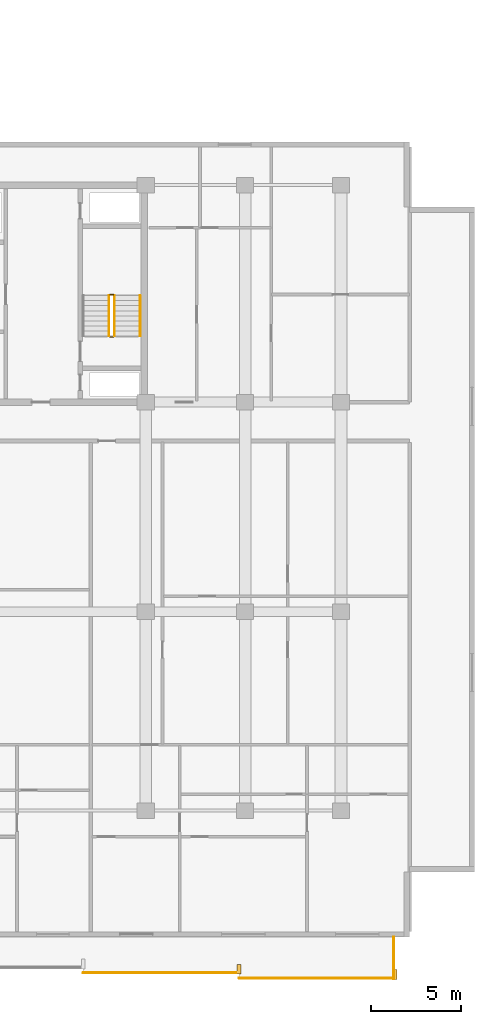
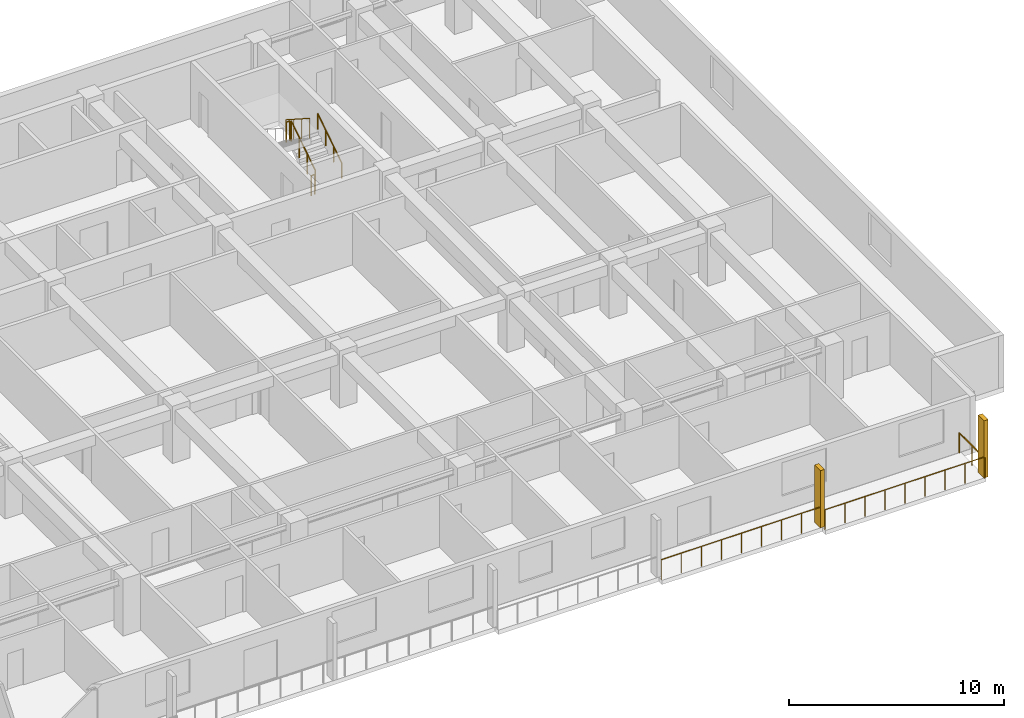
# One storey, part 21 of 23: 8 railings, 2 shading devices.
"""IFC4 building model written with IfcOpenShell, lengths in metres."""

import ifcopenshell
import ifcopenshell.guid

model = None  # the IFC model being written
_history = None  # IfcOwnerHistory: only IFC2X3 demands one
_inside = {}  # id of a spatial element -> (the spatial element, [elements in it])
_under = {}  # id of a project, library or spatial element -> (it, [spatial elements below it])
_declared = {}  # id of a project -> (the project, [libraries it declares])
_typed = {}  # id of a type object -> (the type object, [elements of that type])
_made_of = {}  # id of a material, layer set ... -> (it, [elements and type objects made of it])


def new_model(schema):
    """Start an empty IFC model of exactly this schema.

    Asked for "IFC4X3", IfcOpenShell would pick the latest addendum, in which some entities
    have other attributes; the version numbers below select the first issue.
    IFC2X3 requires an IfcOwnerHistory on every rooted entity: one is made here for all.
    """
    global model, _history
    if schema == "IFC4X3":
        model = ifcopenshell.file(schema_version=(4, 3, 0, 0))
    else:
        model = ifcopenshell.file(schema=schema)
    _inside.clear()
    _under.clear()
    _declared.clear()
    _typed.clear()
    _made_of.clear()
    _history = None
    if model.schema == "IFC2X3":
        org = make("IfcOrganization", Name="unknown")
        user = make(
            "IfcPersonAndOrganization",
            ThePerson=make("IfcPerson", FamilyName="unknown"),
            TheOrganization=org,
        )
        app = make(
            "IfcApplication",
            ApplicationDeveloper=org,
            Version="unknown",
            ApplicationFullName="unknown",
            ApplicationIdentifier="unknown",
        )
        _history = make(
            "IfcOwnerHistory",
            OwningUser=user,
            OwningApplication=app,
            ChangeAction="ADDED",
            CreationDate=0,
        )
    return model


def make(cls, **values):
    """One entity of the class cls with the attributes given. An attribute that is None is left unset."""
    return model.create_entity(
        cls, **{name: value for name, value in values.items() if value is not None}
    )


def rooted(cls, **values):
    """An entity with a GlobalId (a new one), such as an element, a storey or a relation."""
    return make(cls, GlobalId=ifcopenshell.guid.new(), OwnerHistory=_history, **values)


def si_unit(unit_type, name, prefix=None):
    """IfcSIUnit, for example si_unit("LENGTHUNIT", "METRE", prefix="MILLI")."""
    return make("IfcSIUnit", UnitType=unit_type, Prefix=prefix, Name=name)


def assignment(units):
    """IfcUnitAssignment: the units of a project."""
    return None if units is None else make("IfcUnitAssignment", Units=units)


def point(xyz):
    """IfcCartesianPoint."""
    return None if xyz is None else make("IfcCartesianPoint", Coordinates=xyz)


def direction(xyz):
    """IfcDirection."""
    return None if xyz is None else make("IfcDirection", DirectionRatios=xyz)


def frame(location, z_axis=None, x_axis=None):
    """IfcAxis2Placement3D, a coordinate frame: its origin and axes. An axis left out is left unset."""
    return make(
        "IfcAxis2Placement3D",
        Location=point(location),
        Axis=direction(z_axis),
        RefDirection=direction(x_axis),
    )


def frame_2d(location, x_axis=None):
    """IfcAxis2Placement2D, a coordinate frame in the plane: its origin and x axis."""
    return make(
        "IfcAxis2Placement2D", Location=point(location), RefDirection=direction(x_axis)
    )


def origin():
    """The frame at (0, 0, 0) with its axes left unset."""
    return frame((0.0, 0.0, 0.0))


def origin_2d():
    """The frame at (0, 0) in the plane with its x axis left unset."""
    return frame_2d((0.0, 0.0))


def place(relative_to, where):
    """IfcLocalPlacement: puts the frame where relative to a parent placement (None: the world)."""
    return make(
        "IfcLocalPlacement", PlacementRelTo=relative_to, RelativePlacement=where
    )


def context(
    kind, dimensions, precision=None, world=None, true_north=None, identifier=None
):
    """IfcGeometricRepresentationContext, for example the 3D "Model" context."""
    return make(
        "IfcGeometricRepresentationContext",
        ContextIdentifier=identifier,
        ContextType=kind,
        CoordinateSpaceDimension=dimensions,
        Precision=precision,
        WorldCoordinateSystem=world,
        TrueNorth=true_north,
    )


def subcontext(parent, identifier, kind, view, scale=None):
    """IfcGeometricRepresentationSubContext, for example "Body" below "Model"."""
    return make(
        "IfcGeometricRepresentationSubContext",
        ContextIdentifier=identifier,
        ContextType=kind,
        ParentContext=parent,
        TargetScale=scale,
        TargetView=view,
    )


def project(units=None, contexts=None):
    """IfcProject with its units and contexts."""
    return rooted(
        "IfcProject",
        Name="project",
        RepresentationContexts=contexts,
        UnitsInContext=assignment(units),
    )


def spatial(cls, under=None, at=None, **own):
    """A site, building, storey or space (cls), placed at a placement, below another one or the project."""
    s = rooted(cls, ObjectPlacement=at, **own)
    if under is not None:
        _under.setdefault(under.id(), (under, []))[1].append(s)
    return s


def profile(cls, at=None, kind="AREA", **sizes):
    """A parametric profile (cls). Its sizes go by their IFC names, for example OverallWidth=200.0."""
    return make(cls, ProfileType=kind, Position=at, **sizes)


def rectangle(**sizes):
    """IfcRectangleProfileDef."""
    return profile("IfcRectangleProfileDef", **sizes)


def circle(**sizes):
    """IfcCircleProfileDef."""
    return profile("IfcCircleProfileDef", **sizes)


def extrude(swept, where, along, depth):
    """IfcExtrudedAreaSolid: the profile swept, set in the frame where, extruded along a direction by depth."""
    return make(
        "IfcExtrudedAreaSolid",
        SweptArea=swept,
        Position=where,
        ExtrudedDirection=direction(along),
        Depth=depth,
    )


def shape(context_of_items, identifier, shape_type, items):
    """IfcShapeRepresentation: the items that make up one representation, for example the "Body"."""
    return make(
        "IfcShapeRepresentation",
        ContextOfItems=context_of_items,
        RepresentationIdentifier=identifier,
        RepresentationType=shape_type,
        Items=items,
    )


def material(Name=None, Category=None):
    """IfcMaterial."""
    return make("IfcMaterial", Name=Name, Category=Category)


def made_of(thing, what):
    """Note that an element or type object is made of a material, layer set ...; save() writes the relation."""
    if what is not None:
        _made_of.setdefault(what.id(), (what, []))[1].append(thing)
    return thing


def type_object(cls, material=None, **own):
    """A type object (cls), such as IfcWallType, which elements share."""
    return made_of(rooted(cls, **own), material)


def element(
    cls,
    number,
    at=None,
    inside=None,
    cuts=None,
    type_object=None,
    material=None,
    context=None,
    identifier="Body",
    shape_type=None,
    held_by="IfcProductDefinitionShape",
    body=None,
    shapes=None,
    **own,
):
    """One element of the class cls, such as IfcWall. Its Tag is "e" and its number.

    at: its placement. inside: the storey or other place that contains it. cuts: it is an
    opening in that element (IfcRelVoidsElement). A single representation is given by context,
    identifier, shape_type and body (its items); several are given by shapes. held_by: the class
    of the entity that holds the representations. save() writes the other relations.
    """
    e = rooted(cls, Tag="e%d" % number, ObjectPlacement=at, **own)
    if body is not None:
        shapes = [shape(context, identifier, shape_type, body)]
    if shapes is not None:
        e.Representation = make(held_by, Representations=shapes)
    if inside is not None:
        _inside.setdefault(inside.id(), (inside, []))[1].append(e)
    if cuts is not None:
        rooted(
            "IfcRelVoidsElement", RelatingBuildingElement=cuts, RelatedOpeningElement=e
        )
    if type_object is not None:
        _typed.setdefault(type_object.id(), (type_object, []))[1].append(e)
    return made_of(e, material)


def aggregate(whole, parts):
    """IfcRelAggregates: a whole, such as a stair, and the parts it consists of."""
    return rooted("IfcRelAggregates", RelatingObject=whole, RelatedObjects=parts)


def save(model, path):
    """Write the relations noted so far, then the file.

    IfcRelAggregates (storeys below a building ...), IfcRelContainedInSpatialStructure (elements
    in a storey), IfcRelDefinesByType, IfcRelAssociatesMaterial and IfcRelDeclares: one each for
    every whole, place, type object, material and project.
    """
    for whole, parts in _under.values():
        aggregate(whole, parts)
    for where, things in _inside.values():
        rooted(
            "IfcRelContainedInSpatialStructure",
            RelatedElements=things,
            RelatingStructure=where,
        )
    for kind, things in _typed.values():
        rooted("IfcRelDefinesByType", RelatedObjects=things, RelatingType=kind)
    for what, things in _made_of.values():
        rooted("IfcRelAssociatesMaterial", RelatedObjects=things, RelatingMaterial=what)
    for by, libraries in _declared.values():
        rooted("IfcRelDeclares", RelatingContext=by, RelatedDefinitions=libraries)
    model.write(path)


model = new_model("IFC4")

# Units and contexts
model_context = context("Model", 3, precision=1e-05, world=origin(), true_north=direction((0.0, 1.0)))
body_context = subcontext(model_context, "Body", "Model", "MODEL_VIEW")
ifc_project = project(units=[si_unit("LENGTHUNIT", "METRE"), si_unit("AREAUNIT", "SQUARE_METRE"), si_unit("VOLUMEUNIT", "CUBIC_METRE"), si_unit("PLANEANGLEUNIT", "RADIAN"), si_unit("MASSUNIT", "GRAM", prefix="KILO")], contexts=[model_context])

# Site, building, storey
site_placement = place(None, origin())
site = spatial("IfcSite", under=ifc_project, at=site_placement, CompositionType="ELEMENT")
building_placement = place(site_placement, origin())
building = spatial("IfcBuilding", under=site, at=building_placement, Name="Korimba Cascade Residences", CompositionType="ELEMENT")
storey_placement = place(building_placement, frame((0.0, 0.0, 53.25)))
storey = spatial("IfcBuildingStorey", under=building, at=storey_placement, Name="L14", CompositionType="ELEMENT", Elevation=53.25)

# Railings
ifc_material_1 = material(Name="Laminated Glass and Bronze Balustrade", Category="glass")
railing_type_1 = type_object("IfcRailingType", Name="RLG-LOG-1150", PredefinedType="BALUSTRADE", material=ifc_material_1)
railing_1_placement = place(storey_placement, frame((114.642822265625, -13.169921875, 0.0)))
element("IfcRailing", 1, at=railing_1_placement, inside=storey, type_object=railing_type_1, Name="L14 Perimeter Guardrail RLG-L14-T2-LOG-05", PredefinedType="BALUSTRADE", context=body_context, shape_type="SweptSolid", body=[
    extrude(circle(Radius=0.02392578125, at=origin_2d()), frame((0.0, 0.0, 1.1259765625), z_axis=(1.0, 0.0, 0.0), x_axis=(0.0, 1.0, 0.0)), (0.0, 0.0, 1.0), 8.628662109375),
    extrude(circle(Radius=0.02099609375, at=origin_2d()), origin(), (0.0, 0.0, 1.0), 1.101806640625),
    extrude(circle(Radius=0.02099609375, at=origin_2d()), frame((1.07861328125, 0.0, 0.0)), (0.0, 0.0, 1.0), 1.101806640625),
    extrude(circle(Radius=0.02099609375, at=origin_2d()), frame((2.1572265625, 0.0, 0.0)), (0.0, 0.0, 1.0), 1.101806640625),
    extrude(circle(Radius=0.02099609375, at=origin_2d()), frame((3.23583984375, 0.0, 0.0)), (0.0, 0.0, 1.0), 1.101806640625),
    extrude(circle(Radius=0.02099609375, at=origin_2d()), frame((4.314453125, 0.0, 0.0)), (0.0, 0.0, 1.0), 1.101806640625),
    extrude(circle(Radius=0.02099609375, at=origin_2d()), frame((5.392822265625, 0.0, 0.0)), (0.0, 0.0, 1.0), 1.101806640625),
    extrude(circle(Radius=0.02099609375, at=origin_2d()), frame((6.471435546875, 0.0, 0.0)), (0.0, 0.0, 1.0), 1.101806640625),
    extrude(circle(Radius=0.02099609375, at=origin_2d()), frame((7.550048828125, 0.0, 0.0)), (0.0, 0.0, 1.0), 1.101806640625),
    extrude(circle(Radius=0.02099609375, at=origin_2d()), frame((8.628662109375, 0.0, 0.0)), (0.0, 0.0, 1.0), 1.101806640625),
])
railing_2_placement = place(storey_placement, frame((123.271484375, -13.469970703125, 0.0)))
element("IfcRailing", 2, at=railing_2_placement, inside=storey, type_object=railing_type_1, Name="L14 Perimeter Guardrail RLG-L14-T2-LOG-06", PredefinedType="BALUSTRADE", context=body_context, shape_type="SweptSolid", body=[
    extrude(circle(Radius=0.02392578125, at=origin_2d()), frame((0.0, 0.0, 1.1259765625), z_axis=(1.0, 0.0, 0.0), x_axis=(0.0, 1.0, 0.0)), (0.0, 0.0, 1.0), 8.62841796875),
    extrude(circle(Radius=0.02099609375, at=origin_2d()), origin(), (0.0, 0.0, 1.0), 1.101806640625),
    extrude(circle(Radius=0.02099609375, at=origin_2d()), frame((1.07861328125, 0.0, 0.0)), (0.0, 0.0, 1.0), 1.101806640625),
    extrude(circle(Radius=0.02099609375, at=origin_2d()), frame((2.1572265625, 0.0, 0.0)), (0.0, 0.0, 1.0), 1.101806640625),
    extrude(circle(Radius=0.02099609375, at=origin_2d()), frame((3.235595703125, 0.0, 0.0)), (0.0, 0.0, 1.0), 1.101806640625),
    extrude(circle(Radius=0.02099609375, at=origin_2d()), frame((4.314208984375, 0.0, 0.0)), (0.0, 0.0, 1.0), 1.101806640625),
    extrude(circle(Radius=0.02099609375, at=origin_2d()), frame((5.392822265625, 0.0, 0.0)), (0.0, 0.0, 1.0), 1.101806640625),
    extrude(circle(Radius=0.02099609375, at=origin_2d()), frame((6.47119140625, 0.0, 0.0)), (0.0, 0.0, 1.0), 1.101806640625),
    extrude(circle(Radius=0.02099609375, at=origin_2d()), frame((7.5498046875, 0.0, 0.0)), (0.0, 0.0, 1.0), 1.101806640625),
    extrude(circle(Radius=0.02099609375, at=origin_2d()), frame((8.62841796875, 0.0, 0.0)), (0.0, 0.0, 1.0), 1.101806640625),
])
railing_3_placement = place(storey_placement, frame((131.820068359375, -13.550048828125, 0.0)))
element("IfcRailing", 3, at=railing_3_placement, inside=storey, type_object=railing_type_1, Name="L14 Perimeter Guardrail RLG-L14-T2-LOG-07", PredefinedType="BALUSTRADE", context=body_context, shape_type="SweptSolid", body=[
    extrude(circle(Radius=0.02392578125, at=origin_2d()), frame((0.0, 0.0, 1.1259765625), z_axis=(0.0, 1.0, 0.0), x_axis=(-1.0, 0.0, 0.0)), (0.0, 0.0, 1.0), 2.35009765625),
    extrude(circle(Radius=0.02099609375, at=origin_2d()), origin(), (0.0, 0.0, 1.0), 1.101806640625),
    extrude(circle(Radius=0.02099609375, at=origin_2d()), frame((0.0, 1.175048828125, 0.0)), (0.0, 0.0, 1.0), 1.101806640625),
    extrude(circle(Radius=0.02099609375, at=origin_2d()), frame((0.0, 2.35009765625, 0.0)), (0.0, 0.0, 1.0), 1.101806640625),
])
ifc_material_2 = material(Name="Painted Steel Stairwell Guardrail", Category="steel")
railing_type_2 = type_object("IfcRailingType", Name="RLG-ST-GD1150", PredefinedType="GUARDRAIL", material=ifc_material_2)
railing_4_placement = place(storey_placement, frame((116.3701171875, 22.050048828125, 0.1806640625)))
element("IfcRailing", 4, at=railing_4_placement, inside=storey, type_object=railing_type_2, Name="L14 ST-E2 stair guard 1", PredefinedType="GUARDRAIL", context=body_context, shape_type="SweptSolid", body=[
    extrude(circle(Radius=0.02392578125, at=origin_2d()), frame((0.0, 0.0, 1.1259765625), z_axis=(0.0, 0.840436612492, 0.541909863706), x_axis=(-1.0, 0.0, 0.0)), (0.0, 0.0, 1.0), 2.665283203125),
    extrude(circle(Radius=0.02099609375, at=origin_2d()), origin(), (0.0, 0.0, 1.0), 1.101806640625),
    extrude(circle(Radius=0.02099609375, at=origin_2d()), frame((0.0, 0.74658203125, 0.4814453125)), (0.0, 0.0, 1.0), 1.101806640625),
    extrude(circle(Radius=0.02099609375, at=origin_2d()), frame((0.0, 1.493408203125, 0.962890625)), (0.0, 0.0, 1.0), 1.101806640625),
    extrude(circle(Radius=0.02099609375, at=origin_2d()), frame((0.0, 2.239990234375, 1.4443359375)), (0.0, 0.0, 1.0), 1.101806640625),
])
railing_5_placement = place(storey_placement, frame((116.320068359375, 24.340087890625, 1.625)))
element("IfcRailing", 5, at=railing_5_placement, inside=storey, type_object=railing_type_2, Name="L14 ST-E2 stair guard 2", PredefinedType="GUARDRAIL", context=body_context, shape_type="SweptSolid", body=[
    extrude(circle(Radius=0.02392578125, at=origin_2d()), frame((0.0, 0.0, 1.1259765625), z_axis=(-1.0, 0.0, 0.0), x_axis=(0.0, -1.0, 0.0)), (0.0, 0.0, 1.0), 0.199951171875),
    extrude(circle(Radius=0.02099609375, at=origin_2d()), origin(), (0.0, 0.0, 1.0), 1.101806640625),
    extrude(circle(Radius=0.02099609375, at=origin_2d()), frame((-0.199951171875, 0.0, 0.0)), (0.0, 0.0, 1.0), 1.101806640625),
])
railing_6_placement = place(storey_placement, frame((116.070068359375, 24.2900390625, 1.8056640625)))
element("IfcRailing", 6, at=railing_6_placement, inside=storey, type_object=railing_type_2, Name="L14 ST-E2 stair guard 3", PredefinedType="GUARDRAIL", context=body_context, shape_type="SweptSolid", body=[
    extrude(circle(Radius=0.02392578125, at=origin_2d()), frame((0.0, 0.0, 1.1259765625), z_axis=(0.0, -0.840436612492, 0.541909863706), x_axis=(1.0, 0.0, 0.0)), (0.0, 0.0, 1.0), 2.665283203125),
    extrude(circle(Radius=0.02099609375, at=origin_2d()), origin(), (0.0, 0.0, 1.0), 1.101806640625),
    extrude(circle(Radius=0.02099609375, at=origin_2d()), frame((0.0, -0.74658203125, 0.4814453125)), (0.0, 0.0, 1.0), 1.101806640625),
    extrude(circle(Radius=0.02099609375, at=origin_2d()), frame((0.0, -1.493408203125, 0.962890625)), (0.0, 0.0, 1.0), 1.101806640625),
    extrude(circle(Radius=0.02099609375, at=origin_2d()), frame((0.0, -2.239990234375, 1.4443359375)), (0.0, 0.0, 1.0), 1.101806640625),
])
railing_7_placement = place(storey_placement, frame((116.320068359375, 22.0, 0.0)))
element("IfcRailing", 7, at=railing_7_placement, inside=storey, type_object=railing_type_2, Name="L14 ST-E2 stair guard 4", PredefinedType="GUARDRAIL", context=body_context, shape_type="SweptSolid", body=[
    extrude(circle(Radius=0.02392578125, at=origin_2d()), frame((0.0, 0.0, 1.1259765625), z_axis=(-1.0, 0.0, 0.0), x_axis=(0.0, -1.0, 0.0)), (0.0, 0.0, 1.0), 0.199951171875),
    extrude(circle(Radius=0.02099609375, at=origin_2d()), origin(), (0.0, 0.0, 1.0), 1.101806640625),
    extrude(circle(Radius=0.02099609375, at=origin_2d()), frame((-0.199951171875, 0.0, 0.0)), (0.0, 0.0, 1.0), 1.101806640625),
])
ifc_material_3 = material(Name="Brushed Stainless Steel Handrail", Category="steel")
railing_type_3 = type_object("IfcRailingType", Name="RLG-ST-HR900", PredefinedType="HANDRAIL", material=ifc_material_3)
railing_8_placement = place(storey_placement, frame((117.7900390625, 22.050048828125, 0.364990234375)))
element("IfcRailing", 8, at=railing_8_placement, inside=storey, type_object=railing_type_3, Name="L14 ST-E2 stair handrail 1", PredefinedType="HANDRAIL", context=body_context, shape_type="SweptSolid", body=[
    extrude(circle(Radius=0.02392578125, at=origin_2d()), frame((0.0, 0.0, 0.8759765625), z_axis=(0.0, 0.840436612492, 0.541909863706), x_axis=(-1.0, 0.0, 0.0)), (0.0, 0.0, 1.0), 2.665283203125),
    extrude(circle(Radius=0.02099609375, at=origin_2d()), origin(), (0.0, 0.0, 1.0), 0.851806640625),
    extrude(circle(Radius=0.02099609375, at=origin_2d()), frame((0.0, 0.74658203125, 0.4814453125)), (0.0, 0.0, 1.0), 0.851806640625),
    extrude(circle(Radius=0.02099609375, at=origin_2d()), frame((0.0, 1.493408203125, 0.962890625)), (0.0, 0.0, 1.0), 0.851806640625),
    extrude(circle(Radius=0.02099609375, at=origin_2d()), frame((0.0, 2.239990234375, 1.4443359375)), (0.0, 0.0, 1.0), 0.851806640625),
])

# Shading devices
ifc_material_4 = material(Name="Honed Sandstone Precast Fin", Category="masonry")
shading_device_type = type_object("IfcShadingDeviceType", Name="SHD-FIN-550", PredefinedType="USERDEFINED", material=ifc_material_4)
for number, where, z_axis, x_axis, name in (
    (9, (123.271484375, -12.97509765625, 0.0), (0.0, 0.0, 1.0), (1.0, 0.0, 0.0), "L14 T2 Warm-Stone Loggia Fin 7"),
    (10, (131.89990234375, -13.27490234375, 0.0), (0.0, 0.0, 1.0), (1.0, 0.0, 0.0), "L14 T2 Warm-Stone Loggia Fin 8"),
):
    element("IfcShadingDevice", number, at=place(storey_placement, frame(where, z_axis=z_axis, x_axis=x_axis)), inside=storey, type_object=shading_device_type, Name=name, ObjectType="FIN", PredefinedType="USERDEFINED", context=body_context, shape_type="SweptSolid", body=[
        extrude(rectangle(XDim=0.219970703125, YDim=0.550048828125, at=origin_2d()), origin(), (0.0, 0.0, 1.0), 3.25),
    ])

save(model, "model.ifc")
